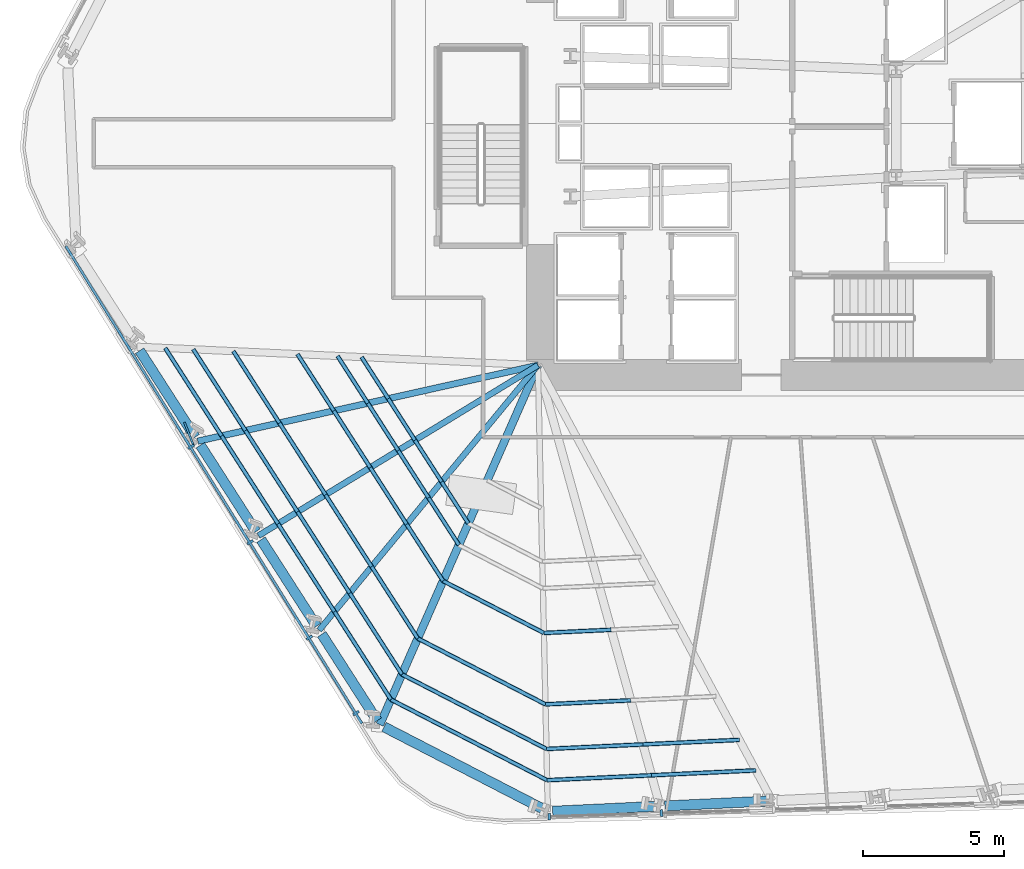
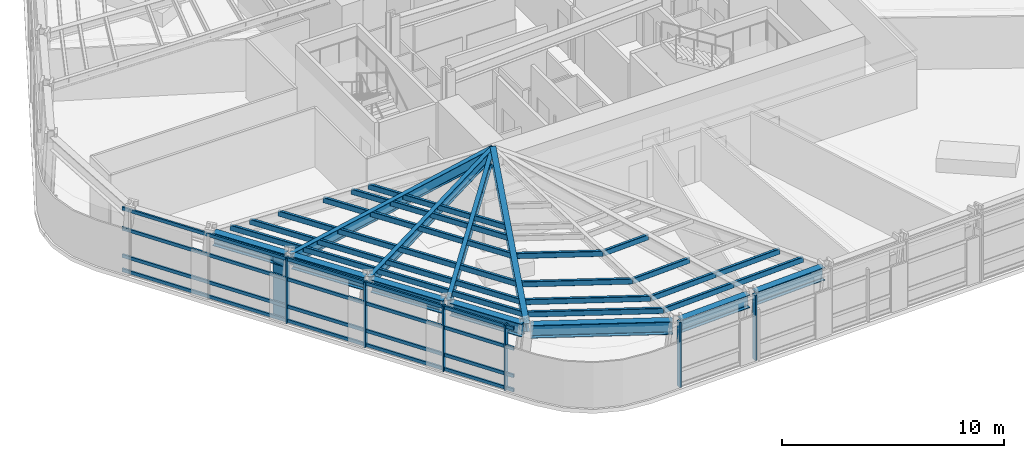
# One storey, part 2 of 15: 45 members, 11 beams, 2 elements without a shape of their own.
"""IFC4 building model written with IfcOpenShell, lengths in metres."""

from ifc_helpers import new_model, si_unit, direction, frame, origin, origin_2d, place, context, subcontext, project, spatial, rectangle, hollow_rectangle, i_section, extrude, material, layer, layer_set, material_profile, profile_set, type_object, element, aggregate, save


model = new_model("IFC4")

# Units and contexts
model_context = context("Model", 3, precision=1e-05, world=origin(), true_north=direction((0.0, 1.0)))
body_context = subcontext(model_context, "Body", "Model", "MODEL_VIEW")
ifc_project = project(units=[si_unit("LENGTHUNIT", "METRE"), si_unit("AREAUNIT", "SQUARE_METRE"), si_unit("VOLUMEUNIT", "CUBIC_METRE"), si_unit("PLANEANGLEUNIT", "RADIAN"), si_unit("MASSUNIT", "GRAM", prefix="KILO")], contexts=[model_context])

# Site, building, storey
site_placement = place(None, origin())
site = spatial("IfcSite", under=ifc_project, at=site_placement, CompositionType="ELEMENT")
building_placement = place(site_placement, origin())
building = spatial("IfcBuilding", under=site, at=building_placement, Name="Valkerne Bourse Tower", CompositionType="ELEMENT")
storey_placement = place(building_placement, frame((0.0, 0.0, 31.60009765625)))
storey = spatial("IfcBuildingStorey", under=building, at=storey_placement, Name="L07", CompositionType="ELEMENT", Elevation=31.60009765625)

# Beams
ifc_material_1 = material(Name="Steel ASTM A992", Category="steel")
ifc_material_profile_1 = material_profile(ifc_material_1, i_section(OverallWidth=0.279296875, OverallDepth=0.46240234375, WebThickness=0.0107421875, FlangeThickness=0.017333984375, FilletRadius=0.017822265625, at=origin_2d()), Name="W18X76")
ifc_profile_set_1 = profile_set([ifc_material_profile_1], Name="Steel ASTM A992")
beam_type_1 = type_object("IfcBeamType", Name="BM-W18X76", PredefinedType="BEAM", material=ifc_profile_set_1)
beam_1_placement = place(storey_placement, frame((31.9736328125, 5.610107421875, 3.348876953125), z_axis=(0.402675959856, 0.915342597804, 0.0), x_axis=(-0.915342597804, 0.402675959856, 0.0)))
element("IfcBeam", 1, at=beam_1_placement, inside=storey, type_object=beam_type_1, Name="L07 Radial Composite Floor Beam 23", PredefinedType="BEAM", context=body_context, shape_type="SweptSolid", body=[
    extrude(i_section(OverallWidth=0.279296875, OverallDepth=0.46240234375, WebThickness=0.0107421875, FlangeThickness=0.017333984375, FilletRadius=0.017822265625, at=origin_2d()), origin(), (0.0, 0.0, 1.0), 13.97265625),
])
ifc_material_profile_2 = material_profile(ifc_material_1, i_section(OverallWidth=0.209228515625, OverallDepth=0.533447265625, WebThickness=0.01025390625, FlangeThickness=0.015625, FilletRadius=0.017822265625, at=origin_2d()), Name="W21X62")
ifc_profile_set_2 = profile_set([ifc_material_profile_2], Name="Steel ASTM A992")
beam_type_2 = type_object("IfcBeamType", Name="BM-W21X62", PredefinedType="JOIST", material=ifc_profile_set_2)
beam_2_placement = place(storey_placement, frame((29.814697265625, 8.972900390625, 3.313232421875), z_axis=(0.636778232868, 0.771047003849, 0.0), x_axis=(-0.771047003849, 0.636778232868, 0.0)))
element("IfcBeam", 2, at=beam_2_placement, inside=storey, type_object=beam_type_2, Name="L07 Radial Composite Floor Beam 22", PredefinedType="JOIST", context=body_context, shape_type="SweptSolid", body=[
    extrude(i_section(OverallWidth=0.209228515625, OverallDepth=0.533447265625, WebThickness=0.01025390625, FlangeThickness=0.015625, FilletRadius=0.017822265625, at=origin_2d()), origin(), (0.0, 0.0, 1.0), 12.226318359375),
])
ifc_material_profile_3 = material_profile(ifc_material_1, i_section(OverallWidth=0.2138671875, OverallDepth=0.548583984375, WebThickness=0.0146484375, FlangeThickness=0.023681640625, FilletRadius=0.017822265625, at=origin_2d()), Name="W21X93")
ifc_profile_set_3 = profile_set([ifc_material_profile_3], Name="Steel ASTM A992")
beam_type_3 = type_object("IfcBeamType", Name="BM-W21X93", PredefinedType="BEAM", material=ifc_profile_set_3)
beam_3_placement = place(storey_placement, frame((27.656005859375, 12.33544921875, 3.3056640625), z_axis=(0.853758678463, 0.520668914906, 0.0), x_axis=(-0.520668914906, 0.853758678463, 0.0)))
element("IfcBeam", 3, at=beam_3_placement, inside=storey, type_object=beam_type_3, Name="L07 Radial Composite Floor Beam 21", PredefinedType="BEAM", context=body_context, shape_type="SweptSolid", body=[
    extrude(i_section(OverallWidth=0.2138671875, OverallDepth=0.548583984375, WebThickness=0.0146484375, FlangeThickness=0.023681640625, FilletRadius=0.017822265625, at=origin_2d()), origin(), (0.0, 0.0, 1.0), 11.6474609375),
])
ifc_material_profile_4 = material_profile(ifc_material_1, i_section(OverallWidth=0.228271484375, OverallDepth=0.607177734375, WebThickness=0.01123046875, FlangeThickness=0.017333984375, FilletRadius=0.017822265625, at=origin_2d()), Name="W24X76")
ifc_profile_set_4 = profile_set([ifc_material_profile_4], Name="Steel ASTM A992")
beam_type_4 = type_object("IfcBeamType", Name="BM-W24X76", PredefinedType="JOIST", material=ifc_profile_set_4)
beam_4_placement = place(storey_placement, frame((25.497314453125, 15.6982421875, 3.2763671875), z_axis=(0.975979081793, 0.217864251087, 0.0), x_axis=(-0.217864251087, 0.975979081793, 0.0)))
element("IfcBeam", 4, at=beam_4_placement, inside=storey, type_object=beam_type_4, Name="L07 Radial Composite Floor Beam 20", PredefinedType="JOIST", context=body_context, shape_type="SweptSolid", body=[
    extrude(i_section(OverallWidth=0.228271484375, OverallDepth=0.607177734375, WebThickness=0.01123046875, FlangeThickness=0.017333984375, FilletRadius=0.017822265625, at=origin_2d()), origin(), (0.0, 0.0, 1.0), 12.400634765625),
])
ifc_material_profile_5 = material_profile(ifc_material_1, i_section(OverallWidth=0.358154296875, OverallDepth=0.7060546875, WebThickness=0.018310546875, FlangeThickness=0.0302734375, FilletRadius=0.02294921875, at=origin_2d()), Name="W27X178")
ifc_profile_set_5 = profile_set([ifc_material_profile_5], Name="Steel ASTM A992")
beam_type_5 = type_object("IfcBeamType", Name="BM-W27X178", PredefinedType="SPANDREL", material=ifc_profile_set_5)
for number, where, z_axis, x_axis, name in (
    (5, (23.43017578125, 18.917724609375, 3.226806640625), (0.540301877789, -0.841471259674, 0.0), (0.841471259674, 0.540301877789, 0.0), "L07 Hexagonal Spandrel Ring Beam 19"),
    (6, (25.589111328125, 15.55517578125, 3.226806640625), (0.540224232621, -0.841521109949, 0.0), (0.841521109949, 0.540224232621, 0.0), "L07 Hexagonal Spandrel Ring Beam 20"),
):
    element("IfcBeam", number, at=place(storey_placement, frame(where, z_axis=z_axis, x_axis=x_axis)), inside=storey, type_object=beam_type_5, Name=name, PredefinedType="SPANDREL", context=body_context, shape_type="SweptSolid", body=[
        extrude(i_section(OverallWidth=0.358154296875, OverallDepth=0.7060546875, WebThickness=0.018310546875, FlangeThickness=0.0302734375, FilletRadius=0.02294921875, at=origin_2d()), origin(), (0.0, 0.0, 1.0), 3.656005859375),
    ])
beam_5_placement = place(storey_placement, frame((27.747802734375, 12.1923828125, 3.226806640625), z_axis=(0.540254591378, -0.841501620019, 0.0), x_axis=(0.841501620019, 0.540254591378, 0.0)))
element("IfcBeam", 7, at=beam_5_placement, inside=storey, type_object=beam_type_5, Name="L07 Hexagonal Spandrel Ring Beam 21", PredefinedType="SPANDREL", context=body_context, shape_type="SweptSolid", body=[
    extrude(i_section(OverallWidth=0.358154296875, OverallDepth=0.7060546875, WebThickness=0.018310546875, FlangeThickness=0.0302734375, FilletRadius=0.02294921875, at=origin_2d()), origin(), (0.0, 0.0, 1.0), 3.65576171875),
])
beam_6_placement = place(storey_placement, frame((29.906494140625, 8.82958984375, 3.226806640625), z_axis=(0.540301877789, -0.841471259674, 0.0), x_axis=(0.841471259674, 0.540301877789, 0.0)))
element("IfcBeam", 8, at=beam_6_placement, inside=storey, type_object=beam_type_5, Name="L07 Hexagonal Spandrel Ring Beam 22", PredefinedType="SPANDREL", context=body_context, shape_type="SweptSolid", body=[
    extrude(i_section(OverallWidth=0.358154296875, OverallDepth=0.7060546875, WebThickness=0.018310546875, FlangeThickness=0.0302734375, FilletRadius=0.02294921875, at=origin_2d()), origin(), (0.0, 0.0, 1.0), 3.656005859375),
])
beam_7_placement = place(storey_placement, frame((32.124755859375, 5.531982421875, 3.226806640625), z_axis=(0.88862166185, -0.458640972974, 0.0), x_axis=(0.458640972974, 0.88862166185, 0.0)))
element("IfcBeam", 9, at=beam_7_placement, inside=storey, type_object=beam_type_5, Name="L07 Hexagonal Spandrel Ring Beam 23", PredefinedType="SPANDREL", context=body_context, shape_type="SweptSolid", body=[
    extrude(i_section(OverallWidth=0.358154296875, OverallDepth=0.7060546875, WebThickness=0.018310546875, FlangeThickness=0.0302734375, FilletRadius=0.02294921875, at=origin_2d()), origin(), (0.0, 0.0, 1.0), 6.388916015625),
])
beam_8_placement = place(storey_placement, frame((38.123046875, 2.531982421875, 3.226806640625), z_axis=(0.998891135825, 0.047079706562, 0.0), x_axis=(-0.047079706562, 0.998891135825, 0.0)))
element("IfcBeam", 10, at=beam_8_placement, inside=storey, type_object=beam_type_5, Name="L07 Hexagonal Spandrel Ring Beam 24", PredefinedType="SPANDREL", context=body_context, shape_type="SweptSolid", body=[
    extrude(i_section(OverallWidth=0.358154296875, OverallDepth=0.7060546875, WebThickness=0.018310546875, FlangeThickness=0.0302734375, FilletRadius=0.02294921875, at=origin_2d()), origin(), (0.0, 0.0, 1.0), 3.656005859375),
])
beam_9_placement = place(storey_placement, frame((42.114501953125, 2.72021484375, 3.226806640625), z_axis=(0.998891283828, 0.047076566288, 0.0), x_axis=(-0.047076566288, 0.998891283828, 0.0)))
element("IfcBeam", 11, at=beam_9_placement, inside=storey, type_object=beam_type_5, Name="L07 Hexagonal Spandrel Ring Beam 25", PredefinedType="SPANDREL", context=body_context, shape_type="SweptSolid", body=[
    extrude(i_section(OverallWidth=0.358154296875, OverallDepth=0.7060546875, WebThickness=0.018310546875, FlangeThickness=0.0302734375, FilletRadius=0.02294921875, at=origin_2d()), origin(), (0.0, 0.0, 1.0), 3.65625),
])

# Curtain wall, members
ifc_material_2 = material(Name="Aluminium AA 6063-T6", Category="aluminium")
ifc_layer = layer(ifc_material_2, 0.22509765625)
ifc_layer_set = layer_set([ifc_layer], Name="Aluminium AA 6063-T6")
curtain_wall_type = type_object("IfcCurtainWallType", Name="CW-01", PredefinedType="NOTDEFINED", material=ifc_layer_set)
curtain_wall_1_placement = place(storey_placement, origin())
curtain_wall_1 = element("IfcCurtainWall", 12, at=curtain_wall_1_placement, inside=storey, type_object=curtain_wall_type, Name="L07 Hexagonal Stick Curtain Wall Face 4", PredefinedType="NOTDEFINED")
ifc_material_profile_6 = material_profile(ifc_material_2, rectangle(XDim=0.090087890625, YDim=0.239990234375, at=origin_2d()), Name="CWM-90X240")
ifc_profile_set_6 = profile_set([ifc_material_profile_6], Name="Aluminium AA 6063-T6")
member_type_1 = type_object("IfcMemberType", Name="CW-MUL-240X90", PredefinedType="MULLION", material=ifc_profile_set_6)
member_1_placement = place(storey_placement, frame((25.254638671875, 15.498046875, 0.0), z_axis=(0.0, 0.0, 1.0), x_axis=(0.52696786733, -0.849885208014, 0.0)))
member_1 = element("IfcMember", 13, at=member_1_placement, type_object=member_type_1, Name="CW-L07-F4 Jamb Mullion 02A", PredefinedType="MULLION", context=body_context, shape_type="SweptSolid", body=[
    extrude(rectangle(XDim=0.090087890625, YDim=0.239990234375, at=origin_2d()), origin(), (0.0, 0.0, 1.0), 3.579833984375),
])
member_2_placement = place(storey_placement, frame((27.360595703125, 12.101806640625, 0.0), z_axis=(0.0, 0.0, 1.0), x_axis=(0.526949791595, -0.849896415534, 0.0)))
member_2 = element("IfcMember", 14, at=member_2_placement, type_object=member_type_1, Name="CW-L07-F4 Jamb Mullion 03A", PredefinedType="MULLION", context=body_context, shape_type="SweptSolid", body=[
    extrude(rectangle(XDim=0.090087890625, YDim=0.239990234375, at=origin_2d()), origin(), (0.0, 0.0, 1.0), 3.579833984375),
])
member_3_placement = place(storey_placement, frame((29.46630859375, 8.705810546875, 0.0), z_axis=(0.0, 0.0, 1.0), x_axis=(0.52696099926, -0.849889466495, 0.0)))
member_3 = element("IfcMember", 15, at=member_3_placement, type_object=member_type_1, Name="CW-L07-F4 Jamb Mullion 04A", PredefinedType="MULLION", context=body_context, shape_type="SweptSolid", body=[
    extrude(rectangle(XDim=0.090087890625, YDim=0.239990234375, at=origin_2d()), origin(), (0.0, 0.0, 1.0), 3.579833984375),
])
member_4_placement = place(storey_placement, frame((31.129150390625, 6.0234375, 0.0), z_axis=(0.0, 0.0, 1.0), x_axis=(0.52696099926, -0.849889466495, 0.0)))
member_4 = element("IfcMember", 16, at=member_4_placement, type_object=member_type_1, Name="CW-L07-F4 Jamb Mullion 04B", PredefinedType="MULLION", context=body_context, shape_type="SweptSolid", body=[
    extrude(rectangle(XDim=0.090087890625, YDim=0.239990234375, at=origin_2d()), origin(), (0.0, 0.0, 1.0), 3.579833984375),
])

curtain_wall_2_placement = place(storey_placement, origin())
curtain_wall_2 = element("IfcCurtainWall", 17, at=curtain_wall_2_placement, inside=storey, type_object=curtain_wall_type, Name="L07 Hexagonal Stick Curtain Wall Face 5", PredefinedType="NOTDEFINED")
member_5_placement = place(storey_placement, frame((38.000244140625, 2.33935546875, 0.0), z_axis=(0.0, 0.0, 1.0), x_axis=(0.999506690045, 0.031406632347, 0.0)))
member_5 = element("IfcMember", 18, at=member_5_placement, type_object=member_type_1, Name="CW-L07-F5 Jamb Mullion 00A", PredefinedType="MULLION", context=body_context, shape_type="SweptSolid", body=[
    extrude(rectangle(XDim=0.090087890625, YDim=0.239990234375, at=origin_2d()), origin(), (0.0, 0.0, 1.0), 3.579833984375),
])
member_6_placement = place(storey_placement, frame((41.994384765625, 2.46484375, 0.0), z_axis=(0.0, 0.0, 1.0), x_axis=(0.999506714728, 0.031405846795, 0.0)))
member_6 = element("IfcMember", 19, at=member_6_placement, type_object=member_type_1, Name="CW-L07-F5 Jamb Mullion 01A", PredefinedType="MULLION", context=body_context, shape_type="SweptSolid", body=[
    extrude(rectangle(XDim=0.090087890625, YDim=0.239990234375, at=origin_2d()), origin(), (0.0, 0.0, 1.0), 3.579833984375),
])
aggregate(curtain_wall_2, [member_5, member_6])

# Member
ifc_material_profile_7 = material_profile(ifc_material_2, rectangle(XDim=0.090087890625, YDim=0.179931640625, at=origin_2d()), Name="CWT-90X180")
ifc_profile_set_7 = profile_set([ifc_material_profile_7], Name="Aluminium AA 6063-T6")
member_type_2 = type_object("IfcMemberType", Name="CW-TRN-180X90", PredefinedType="USERDEFINED", material=ifc_profile_set_7)
member_7_placement = place(storey_placement, frame((20.804931640625, 22.63671875, 0.119873046875), z_axis=(0.526958557321, -0.849890980577, 0.0), x_axis=(0.849890980577, 0.526958557321, 0.0)))
member_7 = element("IfcMember", 20, at=member_7_placement, type_object=member_type_2, Name="CW-L07-F4 Continuous Face Transom 1", ObjectType="TRANSOM", PredefinedType="USERDEFINED", context=body_context, shape_type="SweptSolid", body=[
    extrude(rectangle(XDim=0.090087890625, YDim=0.179931640625, at=origin_2d()), origin(), (0.0, 0.0, 1.0), 19.97998046875),
])

member_8_placement = place(storey_placement, frame((20.804931640625, 22.63671875, 0.89990234375), z_axis=(0.526958557321, -0.849890980577, 0.0), x_axis=(0.849890980577, 0.526958557321, 0.0)))
member_8 = element("IfcMember", 21, at=member_8_placement, type_object=member_type_2, Name="CW-L07-F4 Continuous Face Transom 2", ObjectType="TRANSOM", PredefinedType="USERDEFINED", context=body_context, shape_type="SweptSolid", body=[
    extrude(rectangle(XDim=0.090087890625, YDim=0.179931640625, at=origin_2d()), origin(), (0.0, 0.0, 1.0), 19.97998046875),
])

member_9_placement = place(storey_placement, frame((20.804931640625, 22.63671875, 2.39990234375), z_axis=(0.526958557321, -0.849890980577, 0.0), x_axis=(0.849890980577, 0.526958557321, 0.0)))
member_9 = element("IfcMember", 22, at=member_9_placement, type_object=member_type_2, Name="CW-L07-F4 Continuous Face Transom 3", ObjectType="TRANSOM", PredefinedType="USERDEFINED", context=body_context, shape_type="SweptSolid", body=[
    extrude(rectangle(XDim=0.090087890625, YDim=0.179931640625, at=origin_2d()), origin(), (0.0, 0.0, 1.0), 19.97998046875),
])

member_10_placement = place(storey_placement, frame((20.804931640625, 22.63671875, 3.5), z_axis=(0.526958557321, -0.849890980577, 0.0), x_axis=(0.849890980577, 0.526958557321, 0.0)))
member_10 = element("IfcMember", 23, at=member_10_placement, type_object=member_type_2, Name="CW-L07-F4 Continuous Face Transom 4", ObjectType="TRANSOM", PredefinedType="USERDEFINED", context=body_context, shape_type="SweptSolid", body=[
    extrude(rectangle(XDim=0.090087890625, YDim=0.179931640625, at=origin_2d()), origin(), (0.0, 0.0, 1.0), 19.97998046875),
])

aggregate(curtain_wall_1, [member_7, member_8, member_9, member_10, member_1, member_2, member_3, member_4])

# Members
ifc_material_3 = material(Name="Bronze Anodised Aluminium AA 6063-T6", Category="aluminium")
ifc_material_profile_8 = material_profile(ifc_material_3, rectangle(XDim=0.070068359375, YDim=0.89990234375, at=origin_2d()), Name="FIN-70X900")
ifc_profile_set_8 = profile_set([ifc_material_profile_8], Name="Bronze Anodised Aluminium AA 6063-T6")
member_type_3 = type_object("IfcMemberType", Name="FIN-SOLAR-900", PredefinedType="USERDEFINED", material=ifc_profile_set_8)
member_11_placement = place(storey_placement, frame((25.186279296875, 15.949951171875, 0.00390625), z_axis=(0.0, 0.0, 1.0), x_axis=(-0.930761857127, -0.365625991031, 0.0)))
element("IfcMember", 24, at=member_11_placement, inside=storey, type_object=member_type_3, Name="L07 Bronze Anodised Solar Fin F4-02", ObjectType="SOLAR_FIN", PredefinedType="USERDEFINED", context=body_context, shape_type="SweptSolid", body=[
    extrude(rectangle(XDim=0.070068359375, YDim=0.89990234375, at=origin_2d()), origin(), (0.0, 0.0, 1.0), 3.572021484375),
])
ifc_material_4 = material(Name="Steel ASTM A500 Grade C", Category="steel")
ifc_material_profile_9 = material_profile(ifc_material_4, hollow_rectangle(XDim=0.14990234375, YDim=0.300048828125, WallThickness=0.012451171875, OuterFilletRadius=0.02490234375, at=origin_2d()), Name="HSS300X150X12.5")
ifc_profile_set_9 = profile_set([ifc_material_profile_9], Name="Steel ASTM A500 Grade C")
member_type_4 = type_object("IfcMemberType", Name="MBR-HSS300X150X12.5", PredefinedType="PURLIN", material=ifc_profile_set_9)
member_12_placement = place(storey_placement, frame((31.324951171875, 18.69091796875, 3.419921875), z_axis=(0.540231192035, -0.841516642232, 0.0), x_axis=(0.841516642232, 0.540231192035, 0.0)))
element("IfcMember", 25, at=member_12_placement, inside=storey, type_object=member_type_4, Name="L07 Secondary Composite Floor Purlin K-19", PredefinedType="PURLIN", context=body_context, shape_type="SweptSolid", body=[
    extrude(hollow_rectangle(XDim=0.14990234375, YDim=0.300048828125, WallThickness=0.012451171875, OuterFilletRadius=0.02490234375, at=origin_2d()), origin(), (0.0, 0.0, 1.0), 1.75830078125),
])
member_13_placement = place(storey_placement, frame((32.27490234375, 17.211181640625, 3.419921875), z_axis=(0.54019598346, -0.841539244156, 0.0), x_axis=(0.841539244156, 0.54019598346, 0.0)))
element("IfcMember", 26, at=member_13_placement, inside=storey, type_object=member_type_4, Name="L07 Secondary Composite Floor Purlin K-20", PredefinedType="PURLIN", context=body_context, shape_type="SweptSolid", body=[
    extrude(hollow_rectangle(XDim=0.14990234375, YDim=0.300048828125, WallThickness=0.012451171875, OuterFilletRadius=0.02490234375, at=origin_2d()), origin(), (0.0, 0.0, 1.0), 1.758056640625),
])
for number, where, z_axis, x_axis, name in (
    (27, (33.224609375, 15.731689453125, 3.419921875), (0.540231192035, -0.841516642232, 0.0), (0.841516642232, 0.540231192035, 0.0), "L07 Secondary Composite Floor Purlin K-21"),
    (28, (34.174560546875, 14.251953125, 3.419921875), (0.540294316989, -0.841476114355, 0.0), (0.841476114355, 0.540294316989, 0.0), "L07 Secondary Composite Floor Purlin K-22"),
):
    element("IfcMember", number, at=place(storey_placement, frame(where, z_axis=z_axis, x_axis=x_axis)), inside=storey, type_object=member_type_4, Name=name, PredefinedType="PURLIN", context=body_context, shape_type="SweptSolid", body=[
        extrude(hollow_rectangle(XDim=0.14990234375, YDim=0.300048828125, WallThickness=0.012451171875, OuterFilletRadius=0.02490234375, at=origin_2d()), origin(), (0.0, 0.0, 1.0), 1.75830078125),
    ])
for number, where, z_axis, x_axis, name in (
    (29, (30.46923828125, 18.73046875, 3.419921875), (0.540207835486, -0.841531636054, 0.0), (0.841531636054, 0.540207835486, 0.0), "L07 Secondary Composite Floor Purlin M-19"),
    (30, (31.548583984375, 17.049072265625, 3.419921875), (0.540207835486, -0.841531636054, 0.0), (0.841531636054, 0.540207835486, 0.0), "L07 Secondary Composite Floor Purlin M-20"),
    (31, (32.6279296875, 15.36767578125, 3.419921875), (0.540294359819, -0.841476086855, 0.0), (0.841476086855, 0.540294359819, 0.0), "L07 Secondary Composite Floor Purlin M-21"),
    (32, (33.70751953125, 13.686279296875, 3.419921875), (0.540207835486, -0.841531636054, 0.0), (0.841531636054, 0.540207835486, 0.0), "L07 Secondary Composite Floor Purlin M-22"),
):
    element("IfcMember", number, at=place(storey_placement, frame(where, z_axis=z_axis, x_axis=x_axis)), inside=storey, type_object=member_type_4, Name=name, PredefinedType="PURLIN", context=body_context, shape_type="SweptSolid", body=[
        extrude(hollow_rectangle(XDim=0.14990234375, YDim=0.300048828125, WallThickness=0.012451171875, OuterFilletRadius=0.02490234375, at=origin_2d()), origin(), (0.0, 0.0, 1.0), 1.998046875),
    ])
for number, where, z_axis, x_axis, name in (
    (33, (26.76123046875, 18.902099609375, 3.419921875), (0.540257708725, -0.841499618635, 0.0), (0.841499618635, 0.540257708725, 0.0), "L07 Secondary Composite Floor Purlin O-19"),
    (34, (28.40185546875, 16.3466796875, 3.419921875), (0.540221160754, -0.841523081961, 0.0), (0.841523081961, 0.540221160754, 0.0), "L07 Secondary Composite Floor Purlin O-20"),
    (35, (30.04248046875, 13.791015625, 3.419921875), (0.540221160754, -0.841523081961, 0.0), (0.841523081961, 0.540221160754, 0.0), "L07 Secondary Composite Floor Purlin O-21"),
):
    element("IfcMember", number, at=place(storey_placement, frame(where, z_axis=z_axis, x_axis=x_axis)), inside=storey, type_object=member_type_4, Name=name, PredefinedType="PURLIN", context=body_context, shape_type="SweptSolid", body=[
        extrude(hollow_rectangle(XDim=0.14990234375, YDim=0.300048828125, WallThickness=0.012451171875, OuterFilletRadius=0.02490234375, at=origin_2d()), origin(), (0.0, 0.0, 1.0), 3.036865234375),
    ])
member_14_placement = place(storey_placement, frame((31.68310546875, 11.2353515625, 3.419921875), z_axis=(0.540278086155, -0.841486535615, 0.0), x_axis=(0.841486535615, 0.540278086155, 0.0)))
element("IfcMember", 36, at=member_14_placement, inside=storey, type_object=member_type_4, Name="L07 Secondary Composite Floor Purlin O-22", PredefinedType="PURLIN", context=body_context, shape_type="SweptSolid", body=[
    extrude(hollow_rectangle(XDim=0.14990234375, YDim=0.300048828125, WallThickness=0.012451171875, OuterFilletRadius=0.02490234375, at=origin_2d()), origin(), (0.0, 0.0, 1.0), 3.037109375),
])
member_15_placement = place(storey_placement, frame((33.323974609375, 8.6796875, 3.419921875), z_axis=(0.88862505047, -0.458634407428, 0.0), x_axis=(0.458634407428, 0.88862505047, 0.0)))
element("IfcMember", 37, at=member_15_placement, inside=storey, type_object=member_type_4, Name="L07 Secondary Composite Floor Purlin O-23", PredefinedType="PURLIN", context=body_context, shape_type="SweptSolid", body=[
    extrude(hollow_rectangle(XDim=0.14990234375, YDim=0.300048828125, WallThickness=0.012451171875, OuterFilletRadius=0.02490234375, at=origin_2d()), origin(), (0.0, 0.0, 1.0), 5.114013671875),
])
member_16_placement = place(storey_placement, frame((37.868408203125, 6.334228515625, 3.419921875), z_axis=(0.998889857126, 0.047106828929, 0.0), x_axis=(-0.047106828929, 0.998889857126, 0.0)))
element("IfcMember", 38, at=member_16_placement, inside=storey, type_object=member_type_4, Name="L07 Secondary Composite Floor Purlin O-24", PredefinedType="PURLIN", context=body_context, shape_type="SweptSolid", body=[
    extrude(hollow_rectangle(XDim=0.14990234375, YDim=0.300048828125, WallThickness=0.012451171875, OuterFilletRadius=0.02490234375, at=origin_2d()), origin(), (0.0, 0.0, 1.0), 3.037109375),
])
member_17_placement = place(storey_placement, frame((29.04296875, 18.79638671875, 3.419921875), z_axis=(0.540284037269, -0.841482714661, 0.0), x_axis=(0.841482714661, 0.540284037269, 0.0)))
element("IfcMember", 39, at=member_17_placement, inside=storey, type_object=member_type_4, Name="L07 Secondary Composite Floor Purlin Z-19", PredefinedType="PURLIN", context=body_context, shape_type="SweptSolid", body=[
    extrude(hollow_rectangle(XDim=0.14990234375, YDim=0.300048828125, WallThickness=0.012451171875, OuterFilletRadius=0.02490234375, at=origin_2d()), origin(), (0.0, 0.0, 1.0), 2.397705078125),
])
member_18_placement = place(storey_placement, frame((30.33837890625, 16.77880859375, 3.419921875), z_axis=(0.540211929654, -0.841529007854, 0.0), x_axis=(0.841529007854, 0.540211929654, 0.0)))
element("IfcMember", 40, at=member_18_placement, inside=storey, type_object=member_type_4, Name="L07 Secondary Composite Floor Purlin Z-20", PredefinedType="PURLIN", context=body_context, shape_type="SweptSolid", body=[
    extrude(hollow_rectangle(XDim=0.14990234375, YDim=0.300048828125, WallThickness=0.012451171875, OuterFilletRadius=0.02490234375, at=origin_2d()), origin(), (0.0, 0.0, 1.0), 2.3974609375),
])
member_19_placement = place(storey_placement, frame((31.633544921875, 14.76123046875, 3.419921875), z_axis=(0.540284037269, -0.841482714661, 0.0), x_axis=(0.841482714661, 0.540284037269, 0.0)))
element("IfcMember", 41, at=member_19_placement, inside=storey, type_object=member_type_4, Name="L07 Secondary Composite Floor Purlin Z-21", PredefinedType="PURLIN", context=body_context, shape_type="SweptSolid", body=[
    extrude(hollow_rectangle(XDim=0.14990234375, YDim=0.300048828125, WallThickness=0.012451171875, OuterFilletRadius=0.02490234375, at=origin_2d()), origin(), (0.0, 0.0, 1.0), 2.397705078125),
])
member_20_placement = place(storey_placement, frame((32.928955078125, 12.74365234375, 3.419921875), z_axis=(0.540211929654, -0.841529007854, 0.0), x_axis=(0.841529007854, 0.540211929654, 0.0)))
element("IfcMember", 42, at=member_20_placement, inside=storey, type_object=member_type_4, Name="L07 Secondary Composite Floor Purlin Z-22", PredefinedType="PURLIN", context=body_context, shape_type="SweptSolid", body=[
    extrude(hollow_rectangle(XDim=0.14990234375, YDim=0.300048828125, WallThickness=0.012451171875, OuterFilletRadius=0.02490234375, at=origin_2d()), origin(), (0.0, 0.0, 1.0), 2.3974609375),
])
member_21_placement = place(storey_placement, frame((34.22412109375, 10.72607421875, 3.419921875), z_axis=(0.888621452017, -0.458641379528, 0.0), x_axis=(0.458641379528, 0.888621452017, 0.0)))
element("IfcMember", 43, at=member_21_placement, inside=storey, type_object=member_type_4, Name="L07 Secondary Composite Floor Purlin Z-23", PredefinedType="PURLIN", context=body_context, shape_type="SweptSolid", body=[
    extrude(hollow_rectangle(XDim=0.14990234375, YDim=0.300048828125, WallThickness=0.012451171875, OuterFilletRadius=0.02490234375, at=origin_2d()), origin(), (0.0, 0.0, 1.0), 4.03759765625),
])
member_22_placement = place(storey_placement, frame((37.81201171875, 8.874267578125, 3.419921875), z_axis=(0.99888786488, 0.047149055096, 0.0), x_axis=(-0.047149055096, 0.99888786488, 0.0)))
element("IfcMember", 44, at=member_22_placement, inside=storey, type_object=member_type_4, Name="L07 Secondary Composite Floor Purlin Z-24", PredefinedType="PURLIN", context=body_context, shape_type="SweptSolid", body=[
    extrude(hollow_rectangle(XDim=0.14990234375, YDim=0.300048828125, WallThickness=0.012451171875, OuterFilletRadius=0.02490234375, at=origin_2d()), origin(), (0.0, 0.0, 1.0), 2.3974609375),
])
for number, where, z_axis, x_axis, name in (
    (45, (25.3349609375, 18.96826171875, 3.419921875), (0.540272775994, -0.84148994499, 0.0), (0.84148994499, 0.540272775994, 0.0), "L07 Secondary Composite Floor Purlin T-19"),
    (46, (27.191650390625, 16.076416015625, 3.419921875), (0.540222468031, -0.841522242745, 0.0), (0.841522242745, 0.540222468031, 0.0), "L07 Secondary Composite Floor Purlin T-20"),
):
    element("IfcMember", number, at=place(storey_placement, frame(where, z_axis=z_axis, x_axis=x_axis)), inside=storey, type_object=member_type_4, Name=name, PredefinedType="PURLIN", context=body_context, shape_type="SweptSolid", body=[
        extrude(hollow_rectangle(XDim=0.14990234375, YDim=0.300048828125, WallThickness=0.012451171875, OuterFilletRadius=0.02490234375, at=origin_2d()), origin(), (0.0, 0.0, 1.0), 3.4365234375),
    ])
member_23_placement = place(storey_placement, frame((29.048095703125, 13.1845703125, 3.419921875), z_axis=(0.540240479508, -0.841510679849, 0.0), x_axis=(0.841510679849, 0.540240479508, 0.0)))
element("IfcMember", 47, at=member_23_placement, inside=storey, type_object=member_type_4, Name="L07 Secondary Composite Floor Purlin T-21", PredefinedType="PURLIN", context=body_context, shape_type="SweptSolid", body=[
    extrude(hollow_rectangle(XDim=0.14990234375, YDim=0.300048828125, WallThickness=0.012451171875, OuterFilletRadius=0.02490234375, at=origin_2d()), origin(), (0.0, 0.0, 1.0), 3.436767578125),
])
member_24_placement = place(storey_placement, frame((30.90478515625, 10.29248046875, 3.419921875), z_axis=(0.540222468031, -0.841522242745, 0.0), x_axis=(0.841522242745, 0.540222468031, 0.0)))
element("IfcMember", 48, at=member_24_placement, inside=storey, type_object=member_type_4, Name="L07 Secondary Composite Floor Purlin T-22", PredefinedType="PURLIN", context=body_context, shape_type="SweptSolid", body=[
    extrude(hollow_rectangle(XDim=0.14990234375, YDim=0.300048828125, WallThickness=0.012451171875, OuterFilletRadius=0.02490234375, at=origin_2d()), origin(), (0.0, 0.0, 1.0), 3.4365234375),
])
member_25_placement = place(storey_placement, frame((32.76123046875, 7.400634765625, 3.419921875), z_axis=(0.888633413431, -0.458618203447, 0.0), x_axis=(0.458618203447, 0.888633413431, 0.0)))
element("IfcMember", 49, at=member_25_placement, inside=storey, type_object=member_type_4, Name="L07 Secondary Composite Floor Purlin T-23", PredefinedType="PURLIN", context=body_context, shape_type="SweptSolid", body=[
    extrude(hollow_rectangle(XDim=0.14990234375, YDim=0.300048828125, WallThickness=0.012451171875, OuterFilletRadius=0.02490234375, at=origin_2d()), origin(), (0.0, 0.0, 1.0), 5.787109375),
])
member_26_placement = place(storey_placement, frame((37.90380859375, 4.74658203125, 3.419921875), z_axis=(0.998890051357, 0.047102710103, 0.0), x_axis=(-0.047102710103, 0.998890051357, 0.0)))
element("IfcMember", 50, at=member_26_placement, inside=storey, type_object=member_type_4, Name="L07 Secondary Composite Floor Purlin T-24", PredefinedType="PURLIN", context=body_context, shape_type="SweptSolid", body=[
    extrude(hollow_rectangle(XDim=0.14990234375, YDim=0.300048828125, WallThickness=0.012451171875, OuterFilletRadius=0.02490234375, at=origin_2d()), origin(), (0.0, 0.0, 1.0), 3.4365234375),
])
member_27_placement = place(storey_placement, frame((41.33642578125, 4.908447265625, 3.419921875), z_axis=(0.998890208965, 0.047099367651, 0.0), x_axis=(-0.047099367651, 0.998890208965, 0.0)))
element("IfcMember", 51, at=member_27_placement, inside=storey, type_object=member_type_4, Name="L07 Secondary Composite Floor Purlin T-25", PredefinedType="PURLIN", context=body_context, shape_type="SweptSolid", body=[
    extrude(hollow_rectangle(XDim=0.14990234375, YDim=0.300048828125, WallThickness=0.012451171875, OuterFilletRadius=0.02490234375, at=origin_2d()), origin(), (0.0, 0.0, 1.0), 3.436767578125),
])
member_28_placement = place(storey_placement, frame((24.336669921875, 19.014404296875, 3.419921875), z_axis=(0.540276055296, -0.841487839528, 0.0), x_axis=(0.841487839528, 0.540276055296, 0.0)))
element("IfcMember", 52, at=member_28_placement, inside=storey, type_object=member_type_4, Name="L07 Secondary Composite Floor Purlin U-19", PredefinedType="PURLIN", context=body_context, shape_type="SweptSolid", body=[
    extrude(hollow_rectangle(XDim=0.14990234375, YDim=0.300048828125, WallThickness=0.012451171875, OuterFilletRadius=0.02490234375, at=origin_2d()), origin(), (0.0, 0.0, 1.0), 3.71630859375),
])
member_29_placement = place(storey_placement, frame((26.344482421875, 15.88720703125, 3.419921875), z_axis=(0.54022953404, -0.841517706618, 0.0), x_axis=(0.841517706618, 0.54022953404, 0.0)))
element("IfcMember", 53, at=member_29_placement, inside=storey, type_object=member_type_4, Name="L07 Secondary Composite Floor Purlin U-20", PredefinedType="PURLIN", context=body_context, shape_type="SweptSolid", body=[
    extrude(hollow_rectangle(XDim=0.14990234375, YDim=0.300048828125, WallThickness=0.012451171875, OuterFilletRadius=0.02490234375, at=origin_2d()), origin(), (0.0, 0.0, 1.0), 3.716064453125),
])
for number, where, z_axis, x_axis, name in (
    (54, (28.35205078125, 12.760009765625, 3.419921875), (0.540276055296, -0.841487839528, 0.0), (0.841487839528, 0.540276055296, 0.0), "L07 Secondary Composite Floor Purlin U-21"),
    (55, (30.35986328125, 9.6328125, 3.419921875), (0.540199668487, -0.841536878673, 0.0), (0.841536878673, 0.540199668487, 0.0), "L07 Secondary Composite Floor Purlin U-22"),
):
    element("IfcMember", number, at=place(storey_placement, frame(where, z_axis=z_axis, x_axis=x_axis)), inside=storey, type_object=member_type_4, Name=name, PredefinedType="PURLIN", context=body_context, shape_type="SweptSolid", body=[
        extrude(hollow_rectangle(XDim=0.14990234375, YDim=0.300048828125, WallThickness=0.012451171875, OuterFilletRadius=0.02490234375, at=origin_2d()), origin(), (0.0, 0.0, 1.0), 3.71630859375),
    ])
member_30_placement = place(storey_placement, frame((32.367431640625, 6.50537109375, 3.419921875), z_axis=(0.888626811782, -0.458630994789, 0.0), x_axis=(0.458630994789, 0.888626811782, 0.0)))
element("IfcMember", 56, at=member_30_placement, inside=storey, type_object=member_type_4, Name="L07 Secondary Composite Floor Purlin U-23", PredefinedType="PURLIN", context=body_context, shape_type="SweptSolid", body=[
    extrude(hollow_rectangle(XDim=0.14990234375, YDim=0.300048828125, WallThickness=0.012451171875, OuterFilletRadius=0.02490234375, at=origin_2d()), origin(), (0.0, 0.0, 1.0), 6.258056640625),
])
for number, where, z_axis, x_axis, name in (
    (57, (37.928466796875, 3.63525390625, 3.419921875), (0.998890028274, 0.047103199623, 0.0), (-0.047103199623, 0.998890028274, 0.0), "L07 Secondary Composite Floor Purlin U-24"),
    (58, (41.640625, 3.810302734375, 3.419921875), (0.998890028274, 0.047103199623, 0.0), (-0.047103199623, 0.998890028274, 0.0), "L07 Secondary Composite Floor Purlin U-25"),
):
    element("IfcMember", number, at=place(storey_placement, frame(where, z_axis=z_axis, x_axis=x_axis)), inside=storey, type_object=member_type_4, Name=name, PredefinedType="PURLIN", context=body_context, shape_type="SweptSolid", body=[
        extrude(hollow_rectangle(XDim=0.14990234375, YDim=0.300048828125, WallThickness=0.012451171875, OuterFilletRadius=0.02490234375, at=origin_2d()), origin(), (0.0, 0.0, 1.0), 3.71630859375),
    ])

save(model, "model.ifc")
